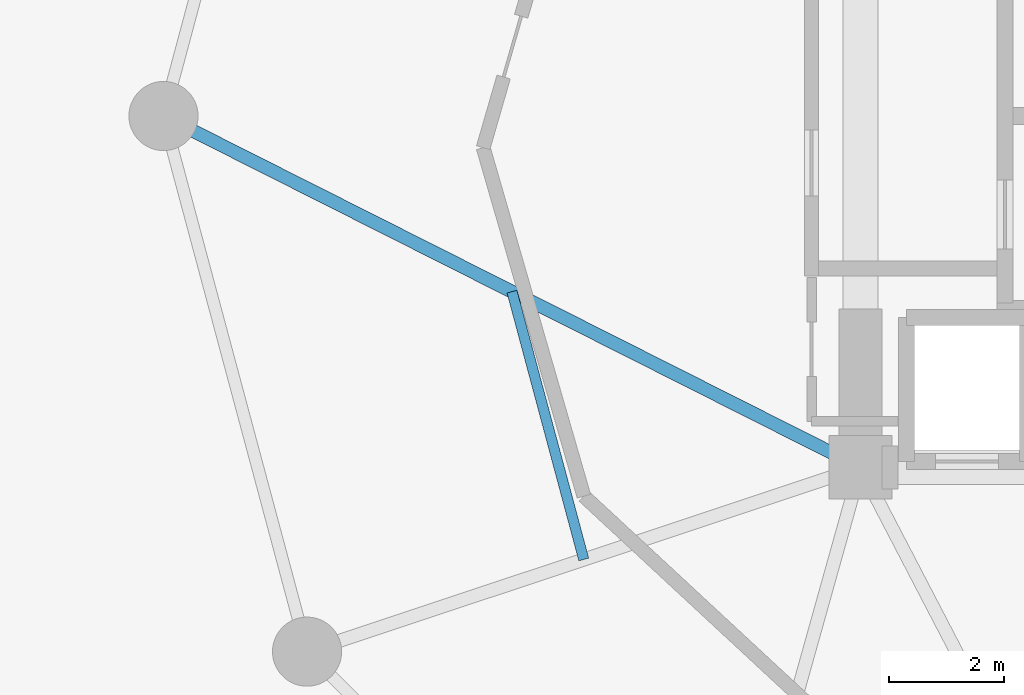
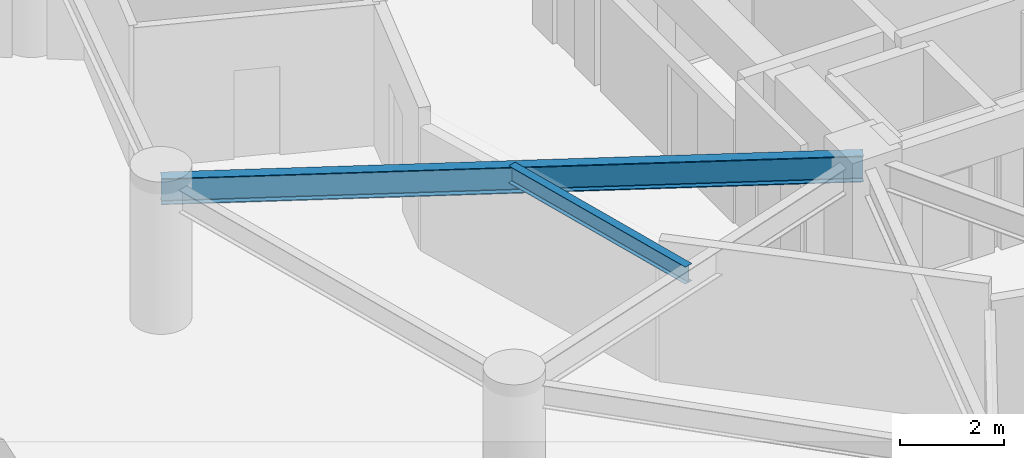
# One storey, part 7 of 25: 2 beams.
"""IFC4 building model written with IfcOpenShell, lengths in metres."""

from ifc_helpers import new_model, si_unit, direction, frame, origin, origin_2d, place, context, subcontext, project, spatial, i_section, extrude, material, material_profile, profile_set, type_object, element, save


model = new_model("IFC4")

# Units and contexts
model_context = context("Model", 3, precision=1e-05, world=origin(), true_north=direction((0.0, 1.0)))
body_context = subcontext(model_context, "Body", "Model", "MODEL_VIEW")
ifc_project = project(units=[si_unit("LENGTHUNIT", "METRE"), si_unit("AREAUNIT", "SQUARE_METRE"), si_unit("VOLUMEUNIT", "CUBIC_METRE"), si_unit("PLANEANGLEUNIT", "RADIAN"), si_unit("MASSUNIT", "GRAM", prefix="KILO")], contexts=[model_context])

# Site, building, storey
site_placement = place(None, origin())
site = spatial("IfcSite", under=ifc_project, at=site_placement, CompositionType="ELEMENT")
building_placement = place(site_placement, origin())
building = spatial("IfcBuilding", under=site, at=building_placement, Name="Solvirekh Grand Hotel", CompositionType="ELEMENT")
storey_placement = place(building_placement, frame((0.0, 0.0, 57.199951171875)))
storey = spatial("IfcBuildingStorey", under=building, at=storey_placement, Name="L13", CompositionType="ELEMENT", Elevation=57.199951171875)

# Beams
ifc_material = material(Name="Steel S355", Category="steel")
ifc_material_profile_1 = material_profile(ifc_material, i_section(OverallWidth=0.22802734375, OverallDepth=0.616943359375, WebThickness=0.012939453125, FlangeThickness=0.02001953125, FilletRadius=0.014892578125, at=origin_2d()), Name="W610X140")
ifc_profile_set_1 = profile_set([ifc_material_profile_1], Name="Steel S355")
beam_type_1 = type_object("IfcBeamType", Name="Beam_Radial_W610", PredefinedType="BEAM", material=ifc_profile_set_1)
beam_1_placement = place(storey_placement, frame((-6.5, -6.10009765625, 3.031005859375), z_axis=(-0.892944939011, 0.450165898191, 0.0), x_axis=(-0.450165898191, -0.892944939011, 0.0)))
element("IfcBeam", 1, at=beam_1_placement, inside=storey, type_object=beam_type_1, Name="L13 radial floor beam R07", PredefinedType="BEAM", context=body_context, shape_type="SweptSolid", body=[
    extrude(i_section(OverallWidth=0.22802734375, OverallDepth=0.616943359375, WebThickness=0.012939453125, FlangeThickness=0.02001953125, FilletRadius=0.014892578125, at=origin_2d()), origin(), (0.0, 0.0, 1.0), 13.55078125),
])
ifc_material_profile_2 = material_profile(ifc_material, i_section(OverallWidth=0.177978515625, OverallDepth=0.406982421875, WebThickness=0.008056640625, FlangeThickness=0.011962890625, FilletRadius=0.011962890625, at=origin_2d()), Name="W410X60")
ifc_profile_set_2 = profile_set([ifc_material_profile_2], Name="Steel S355")
beam_type_2 = type_object("IfcBeamType", Name="Joist_Floor_W410", PredefinedType="JOIST", material=ifc_profile_set_2)
beam_2_placement = place(storey_placement, frame((-12.550048828125, -3.050048828125, 3.136962890625), z_axis=(0.258849313227, -0.965917715461, 0.0), x_axis=(0.965917715461, 0.258849313227, 0.0)))
element("IfcBeam", 2, at=beam_2_placement, inside=storey, type_object=beam_type_2, Name="L13 secondary composite floor joist 7", PredefinedType="JOIST", context=body_context, shape_type="SweptSolid", body=[
    extrude(i_section(OverallWidth=0.177978515625, OverallDepth=0.406982421875, WebThickness=0.008056640625, FlangeThickness=0.011962890625, FilletRadius=0.011962890625, at=origin_2d()), origin(), (0.0, 0.0, 1.0), 4.81396484375),
])

save(model, "model.ifc")
